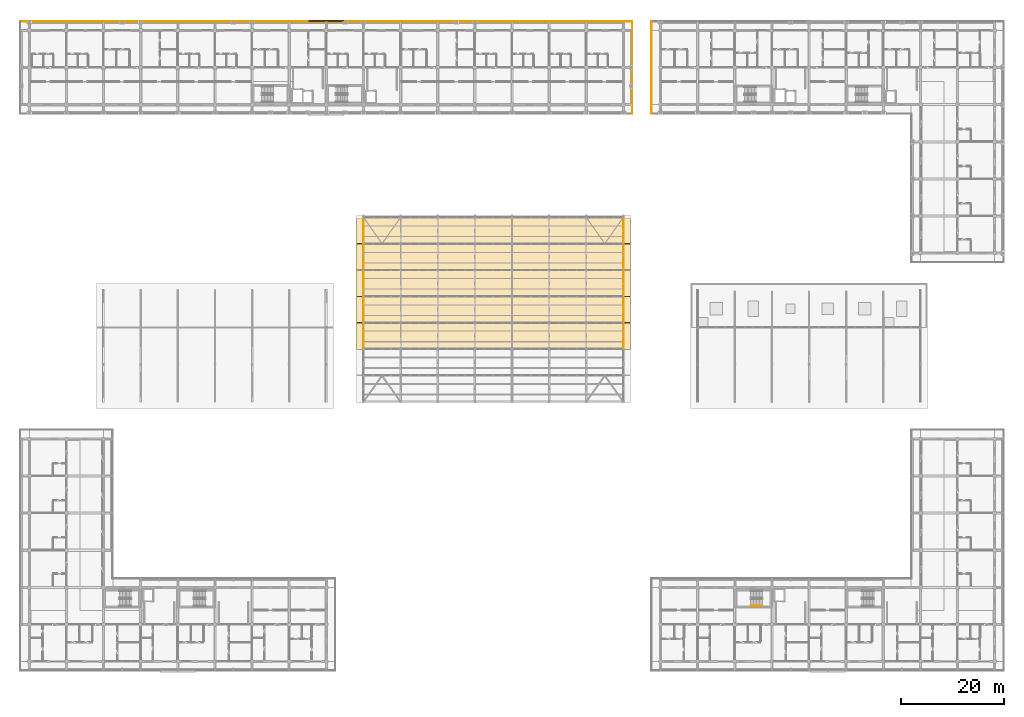
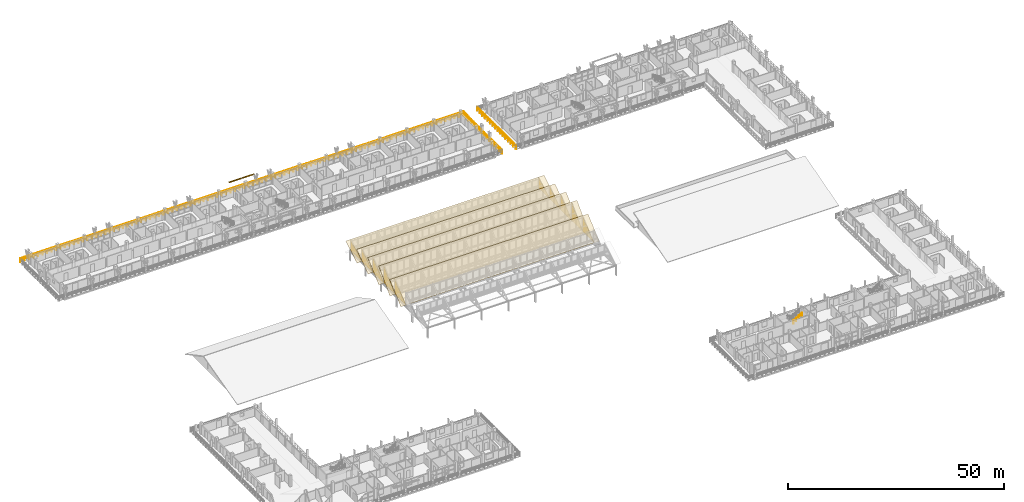
# One storey, part 150 of 157: 15 coverings, 4 railings, 1 shading device.
"""IFC4 building model written with IfcOpenShell, lengths in metres."""

from ifc_helpers import new_model, si_unit, direction, frame, origin, origin_2d, place, context, subcontext, project, spatial, polyline, rectangle, outline, extrude, material, layer, layer_set, type_object, element, save


model = new_model("IFC4")

# Units and contexts
model_context = context("Model", 3, precision=1e-05, world=origin(), true_north=direction((0.0, 1.0)))
body_context = subcontext(model_context, "Body", "Model", "MODEL_VIEW")
ifc_project = project(units=[si_unit("LENGTHUNIT", "METRE"), si_unit("AREAUNIT", "SQUARE_METRE"), si_unit("VOLUMEUNIT", "CUBIC_METRE"), si_unit("PLANEANGLEUNIT", "RADIAN"), si_unit("MASSUNIT", "GRAM", prefix="KILO")], contexts=[model_context])

# Site, building, storey
site_placement = place(None, origin())
site = spatial("IfcSite", under=ifc_project, at=site_placement, CompositionType="ELEMENT")
building_placement = place(site_placement, origin())
building = spatial("IfcBuilding", under=site, at=building_placement, Name="Suanplinth Sawtooth Commons", CompositionType="ELEMENT")
storey_placement = place(building_placement, frame((0.0, 0.0, 9.0)))
storey = spatial("IfcBuildingStorey", under=building, at=storey_placement, Name="L02", CompositionType="ELEMENT", Elevation=9.0)

# Coverings
ifc_material_1 = material(Name="Insulated zinc-aluminium architectural wall panel", Category="aluminium")
ifc_layer_1 = layer(ifc_material_1, 0.139892578125, Name="Insulated architectural gable tympanum cladding 140mm")
ifc_layer_set_1 = layer_set([ifc_layer_1], Name="Insulated zinc-aluminium architectural wall panel")
covering_type_1 = type_object("IfcCoveringType", Name="CV-CL02", PredefinedType="CLADDING", material=ifc_layer_set_1)
for number, where, z_axis, x_axis, name in (
    (1, (64.800048828125, 60.60009765625, 3.179931640625), (0.0, 0.0, 1.0), (0.0, 1.0, 0.0), "Sawtooth Hall W Gable Tympanum Cladding Tooth 3"),
    (2, (115.199951171875, 60.60009765625, 3.179931640625), (0.0, 0.0, 1.0), (0.0, 1.0, 0.0), "Sawtooth Hall E Gable Tympanum Cladding Tooth 3"),
):
    element("IfcCovering", number, at=place(storey_placement, frame(where, z_axis=z_axis, x_axis=x_axis)), inside=storey, type_object=covering_type_1, Name=name, PredefinedType="CLADDING", context=body_context, shape_type="SweptSolid", body=[
        extrude(outline(polyline([(0.0, 0.0), (5.099853515625, 0.0), (5.10009765625, 4.2900390625), (0.0, 0.02001953125), (0.0, 0.0)])), frame((0.0, 0.06982421875, 0.0), z_axis=(0.0, -1.0, 0.0), x_axis=(1.0, 0.0, 0.0)), (0.0, 0.0, 1.0), 0.139892578125),
    ])
for number, where, z_axis, x_axis, name in (
    (3, (64.800048828125, 65.699951171875, 3.179931640625), (0.0, 0.0, 1.0), (0.0, 1.0, 0.0), "Sawtooth Hall W Gable Tympanum Cladding Tooth 4"),
    (4, (115.199951171875, 65.699951171875, 3.179931640625), (0.0, 0.0, 1.0), (0.0, 1.0, 0.0), "Sawtooth Hall E Gable Tympanum Cladding Tooth 4"),
):
    element("IfcCovering", number, at=place(storey_placement, frame(where, z_axis=z_axis, x_axis=x_axis)), inside=storey, type_object=covering_type_1, Name=name, PredefinedType="CLADDING", context=body_context, shape_type="SweptSolid", body=[
        extrude(outline(polyline([(0.0, 0.0), (5.10009765625, 0.0), (5.10009765625, 5.0400390625), (0.0, 0.02001953125), (0.0, 0.0)])), frame((0.0, 0.06982421875, 0.0), z_axis=(0.0, -1.0, 0.0), x_axis=(1.0, 0.0, 0.0)), (0.0, 0.0, 1.0), 0.139892578125),
    ])
for number, where, z_axis, x_axis, name in (
    (5, (64.800048828125, 70.800048828125, 3.179931640625), (0.0, 0.0, 1.0), (0.0, 1.0, 0.0), "Sawtooth Hall W Gable Tympanum Cladding Tooth 5"),
    (6, (115.199951171875, 70.800048828125, 3.179931640625), (0.0, 0.0, 1.0), (0.0, 1.0, 0.0), "Sawtooth Hall E Gable Tympanum Cladding Tooth 5"),
):
    element("IfcCovering", number, at=place(storey_placement, frame(where, z_axis=z_axis, x_axis=x_axis)), inside=storey, type_object=covering_type_1, Name=name, PredefinedType="CLADDING", context=body_context, shape_type="SweptSolid", body=[
        extrude(outline(polyline([(0.0, 0.0), (5.099853515625, 0.0), (5.10009765625, 4.2900390625), (0.0, 0.02001953125), (0.0, 0.0)])), frame((0.0, 0.06982421875, 0.0), z_axis=(0.0, -1.0, 0.0), x_axis=(1.0, 0.0, 0.0)), (0.0, 0.0, 1.0), 0.139892578125),
    ])
for number, where, z_axis, x_axis, name in (
    (7, (64.800048828125, 75.89990234375, 3.179931640625), (0.0, 0.0, 1.0), (0.0, 1.0, 0.0), "Sawtooth Hall W Gable Tympanum Cladding Tooth 6"),
    (8, (115.199951171875, 75.89990234375, 3.179931640625), (0.0, 0.0, 1.0), (0.0, 1.0, 0.0), "Sawtooth Hall E Gable Tympanum Cladding Tooth 6"),
):
    element("IfcCovering", number, at=place(storey_placement, frame(where, z_axis=z_axis, x_axis=x_axis)), inside=storey, type_object=covering_type_1, Name=name, PredefinedType="CLADDING", context=body_context, shape_type="SweptSolid", body=[
        extrude(outline(polyline([(0.0, 0.0), (5.10009765625, 0.0), (5.10009765625, 3.5400390625), (0.0, 0.02001953125), (0.0, 0.0)])), frame((0.0, 0.06982421875, 0.0), z_axis=(0.0, -1.0, 0.0), x_axis=(1.0, 0.0, 0.0)), (0.0, 0.0, 1.0), 0.139892578125),
    ])
for number, where, z_axis, x_axis, name in (
    (9, (64.800048828125, 81.0, 3.179931640625), (0.0, 0.0, 1.0), (0.0, 1.0, 0.0), "Sawtooth Hall W Gable Tympanum Cladding Tooth 7"),
    (10, (115.199951171875, 81.0, 3.179931640625), (0.0, 0.0, 1.0), (0.0, 1.0, 0.0), "Sawtooth Hall E Gable Tympanum Cladding Tooth 7"),
):
    element("IfcCovering", number, at=place(storey_placement, frame(where, z_axis=z_axis, x_axis=x_axis)), inside=storey, type_object=covering_type_1, Name=name, PredefinedType="CLADDING", context=body_context, shape_type="SweptSolid", body=[
        extrude(outline(polyline([(0.0, 0.0), (5.10009765625, 0.0), (5.10009765625, 2.840087890625), (0.0, 0.02001953125), (0.0, 0.0)])), frame((0.0, 0.06982421875, 0.0), z_axis=(0.0, -1.0, 0.0), x_axis=(1.0, 0.0, 0.0)), (0.0, 0.0, 1.0), 0.139892578125),
    ])
ifc_material_2 = material(Name="Standing-seam zinc-aluminium alloy sheet", Category="aluminium")
ifc_layer_2 = layer(ifc_material_2, 0.06494140625, Name="Standing-seam zinc-aluminium roof cladding 65mm")
ifc_layer_set_2 = layer_set([ifc_layer_2], Name="Standing-seam zinc-aluminium alloy sheet")
covering_type_2 = type_object("IfcCoveringType", Name="CV-RF01", PredefinedType="ROOFING", material=ifc_layer_set_2)
covering_1_placement = place(storey_placement, frame((63.449951171875, 60.47998046875, 3.160400390625), z_axis=(0.0, -0.65745858956, 0.753490678783), x_axis=(1.0, 0.0, 0.0)))
element("IfcCovering", 11, at=covering_1_placement, inside=storey, type_object=covering_type_2, Name="Sawtooth Standing-Seam Roof Cladding Tooth 3", PredefinedType="ROOFING", context=body_context, shape_type="SweptSolid", body=[
    extrude(outline(polyline([(0.0, 0.0), (53.10009765625, 0.0), (53.10009765625, 6.927717687964742), (0.0, 6.927717687964742), (0.0, 0.0)])), origin(), (0.0, 0.0, -1.0), 0.06494140625),
])
covering_2_placement = place(storey_placement, frame((63.449951171875, 65.580078125, 3.142578125), z_axis=(0.0, -0.713950526867, 0.700196147651), x_axis=(1.0, 0.0, 0.0)))
element("IfcCovering", 12, at=covering_2_placement, inside=storey, type_object=covering_type_2, Name="Sawtooth Standing-Seam Roof Cladding Tooth 4", PredefinedType="ROOFING", context=body_context, shape_type="SweptSolid", body=[
    extrude(outline(polyline([(0.0, 0.0), (53.10009765625, 0.0), (53.10009765625, 7.4550120286057755), (0.0, 7.4550120286057755), (0.0, 0.0)])), origin(), (0.0, 0.0, -1.0), 0.06494140625),
])
covering_3_placement = place(storey_placement, frame((63.449951171875, 70.679931640625, 3.160400390625), z_axis=(0.0, -0.65745858956, 0.753490678783), x_axis=(1.0, 0.0, 0.0)))
element("IfcCovering", 13, at=covering_3_placement, inside=storey, type_object=covering_type_2, Name="Sawtooth Standing-Seam Roof Cladding Tooth 5", PredefinedType="ROOFING", context=body_context, shape_type="SweptSolid", body=[
    extrude(outline(polyline([(0.0, 0.0), (53.10009765625, 0.0), (53.10009765625, 6.927717687964742), (0.0, 6.927717687964742), (0.0, 0.0)])), origin(), (0.0, 0.0, -1.0), 0.06494140625),
])
covering_4_placement = place(storey_placement, frame((63.449951171875, 75.780029296875, 3.177978515625), z_axis=(0.0, -0.587234909992, 0.809416555605), x_axis=(1.0, 0.0, 0.0)))
element("IfcCovering", 14, at=covering_4_placement, inside=storey, type_object=covering_type_2, Name="Sawtooth Standing-Seam Roof Cladding Tooth 6", PredefinedType="ROOFING", context=body_context, shape_type="SweptSolid", body=[
    extrude(outline(polyline([(0.0, 0.0), (53.10009765625, 0.0), (53.10009765625, 6.449053539837935), (0.0, 6.449053539837935), (0.0, 0.0)])), origin(), (0.0, 0.0, -1.0), 0.06494140625),
])
covering_5_placement = place(storey_placement, frame((63.449951171875, 80.8798828125, 3.1943359375), z_axis=(0.0, -0.507000747784, 0.861945614146), x_axis=(1.0, 0.0, 0.0)))
element("IfcCovering", 15, at=covering_5_placement, inside=storey, type_object=covering_type_2, Name="Sawtooth Standing-Seam Roof Cladding Tooth 7", PredefinedType="ROOFING", context=body_context, shape_type="SweptSolid", body=[
    extrude(outline(polyline([(0.0, 0.0), (53.10009765625, 0.0), (53.10009765625, 6.056315802383007), (0.0, 6.056315802383007), (0.0, 0.0)])), origin(), (0.0, 0.0, -1.0), 0.06494140625),
])

# Railings
ifc_material_3 = material(Name="Powder-coated galvanized steel", Category="steel")
railing_type_1 = type_object("IfcRailingType", Name="GR-01", PredefinedType="BALUSTRADE", material=ifc_material_3)
railing_1_placement = place(storey_placement, frame((-1.739990234375, 124.139892578125, 0.0)))
element("IfcRailing", 16, at=railing_1_placement, inside=storey, type_object=railing_type_1, Name="L02 Block A Perimeter Balustrade 2", PredefinedType="BALUSTRADE", context=body_context, shape_type="SweptSolid", body=[
    extrude(rectangle(XDim=0.048095703125, YDim=0.048095703125, at=origin_2d()), frame((0.0, 0.0, 1.09619140625), z_axis=(1.0, 0.0, 0.0), x_axis=(0.0, 1.0, 0.0)), (0.0, 0.0, 1.0), 118.679931640625),
    extrude(rectangle(XDim=0.03369140625, YDim=0.03369140625, at=origin_2d()), frame((0.0, 0.0, 0.56005859375), z_axis=(1.0, 0.0, 0.0), x_axis=(0.0, 1.0, 0.0)), (0.0, 0.0, 1.0), 118.679931640625),
    extrude(rectangle(XDim=0.0419921875, YDim=0.0419921875, at=origin_2d()), origin(), (0.0, 0.0, 1.0), 1.072021484375),
    extrude(rectangle(XDim=0.0419921875, YDim=0.0419921875, at=origin_2d()), frame((1.19873046875, 0.0, 0.0)), (0.0, 0.0, 1.0), 1.072021484375),
    extrude(rectangle(XDim=0.0419921875, YDim=0.0419921875, at=origin_2d()), frame((2.3974609375, 0.0, 0.0)), (0.0, 0.0, 1.0), 1.072021484375),
    extrude(rectangle(XDim=0.0419921875, YDim=0.0419921875, at=origin_2d()), frame((3.596435546875, 0.0, 0.0)), (0.0, 0.0, 1.0), 1.072021484375),
    extrude(rectangle(XDim=0.0419921875, YDim=0.0419921875, at=origin_2d()), frame((4.795166015625, 0.0, 0.0)), (0.0, 0.0, 1.0), 1.072021484375),
    extrude(rectangle(XDim=0.0419921875, YDim=0.0419921875, at=origin_2d()), frame((5.993896484375, 0.0, 0.0)), (0.0, 0.0, 1.0), 1.072021484375),
    extrude(rectangle(XDim=0.0419921875, YDim=0.0419921875, at=origin_2d()), frame((7.192626953125, 0.0, 0.0)), (0.0, 0.0, 1.0), 1.072021484375),
    extrude(rectangle(XDim=0.0419921875, YDim=0.0419921875, at=origin_2d()), frame((8.3916015625, 0.0, 0.0)), (0.0, 0.0, 1.0), 1.072021484375),
    extrude(rectangle(XDim=0.0419921875, YDim=0.0419921875, at=origin_2d()), frame((9.59033203125, 0.0, 0.0)), (0.0, 0.0, 1.0), 1.072021484375),
    extrude(rectangle(XDim=0.0419921875, YDim=0.0419921875, at=origin_2d()), frame((10.7890625, 0.0, 0.0)), (0.0, 0.0, 1.0), 1.072021484375),
    extrude(rectangle(XDim=0.0419921875, YDim=0.0419921875, at=origin_2d()), frame((11.98779296875, 0.0, 0.0)), (0.0, 0.0, 1.0), 1.072021484375),
    extrude(rectangle(XDim=0.0419921875, YDim=0.0419921875, at=origin_2d()), frame((13.186767578125, 0.0, 0.0)), (0.0, 0.0, 1.0), 1.072021484375),
    extrude(rectangle(XDim=0.0419921875, YDim=0.0419921875, at=origin_2d()), frame((14.385498046875, 0.0, 0.0)), (0.0, 0.0, 1.0), 1.072021484375),
    extrude(rectangle(XDim=0.0419921875, YDim=0.0419921875, at=origin_2d()), frame((15.584228515625, 0.0, 0.0)), (0.0, 0.0, 1.0), 1.072021484375),
    extrude(rectangle(XDim=0.0419921875, YDim=0.0419921875, at=origin_2d()), frame((16.782958984375, 0.0, 0.0)), (0.0, 0.0, 1.0), 1.072021484375),
    extrude(rectangle(XDim=0.0419921875, YDim=0.0419921875, at=origin_2d()), frame((17.981689453125, 0.0, 0.0)), (0.0, 0.0, 1.0), 1.072021484375),
    extrude(rectangle(XDim=0.0419921875, YDim=0.0419921875, at=origin_2d()), frame((19.1806640625, 0.0, 0.0)), (0.0, 0.0, 1.0), 1.072021484375),
    extrude(rectangle(XDim=0.0419921875, YDim=0.0419921875, at=origin_2d()), frame((20.37939453125, 0.0, 0.0)), (0.0, 0.0, 1.0), 1.072021484375),
    extrude(rectangle(XDim=0.0419921875, YDim=0.0419921875, at=origin_2d()), frame((21.578125, 0.0, 0.0)), (0.0, 0.0, 1.0), 1.072021484375),
    extrude(rectangle(XDim=0.0419921875, YDim=0.0419921875, at=origin_2d()), frame((22.77685546875, 0.0, 0.0)), (0.0, 0.0, 1.0), 1.072021484375),
    extrude(rectangle(XDim=0.0419921875, YDim=0.0419921875, at=origin_2d()), frame((23.975830078125, 0.0, 0.0)), (0.0, 0.0, 1.0), 1.072021484375),
    extrude(rectangle(XDim=0.0419921875, YDim=0.0419921875, at=origin_2d()), frame((25.174560546875, 0.0, 0.0)), (0.0, 0.0, 1.0), 1.072021484375),
    extrude(rectangle(XDim=0.0419921875, YDim=0.0419921875, at=origin_2d()), frame((26.373291015625, 0.0, 0.0)), (0.0, 0.0, 1.0), 1.072021484375),
    extrude(rectangle(XDim=0.0419921875, YDim=0.0419921875, at=origin_2d()), frame((27.572021484375, 0.0, 0.0)), (0.0, 0.0, 1.0), 1.072021484375),
    extrude(rectangle(XDim=0.0419921875, YDim=0.0419921875, at=origin_2d()), frame((28.77099609375, 0.0, 0.0)), (0.0, 0.0, 1.0), 1.072021484375),
    extrude(rectangle(XDim=0.0419921875, YDim=0.0419921875, at=origin_2d()), frame((29.9697265625, 0.0, 0.0)), (0.0, 0.0, 1.0), 1.072021484375),
    extrude(rectangle(XDim=0.0419921875, YDim=0.0419921875, at=origin_2d()), frame((31.16845703125, 0.0, 0.0)), (0.0, 0.0, 1.0), 1.072021484375),
    extrude(rectangle(XDim=0.0419921875, YDim=0.0419921875, at=origin_2d()), frame((32.3671875, 0.0, 0.0)), (0.0, 0.0, 1.0), 1.072021484375),
    extrude(rectangle(XDim=0.0419921875, YDim=0.0419921875, at=origin_2d()), frame((33.566162109375, 0.0, 0.0)), (0.0, 0.0, 1.0), 1.072021484375),
    extrude(rectangle(XDim=0.0419921875, YDim=0.0419921875, at=origin_2d()), frame((34.764892578125, 0.0, 0.0)), (0.0, 0.0, 1.0), 1.072021484375),
    extrude(rectangle(XDim=0.0419921875, YDim=0.0419921875, at=origin_2d()), frame((35.963623046875, 0.0, 0.0)), (0.0, 0.0, 1.0), 1.072021484375),
    extrude(rectangle(XDim=0.0419921875, YDim=0.0419921875, at=origin_2d()), frame((37.162353515625, 0.0, 0.0)), (0.0, 0.0, 1.0), 1.072021484375),
    extrude(rectangle(XDim=0.0419921875, YDim=0.0419921875, at=origin_2d()), frame((38.361083984375, 0.0, 0.0)), (0.0, 0.0, 1.0), 1.072021484375),
    extrude(rectangle(XDim=0.0419921875, YDim=0.0419921875, at=origin_2d()), frame((39.56005859375, 0.0, 0.0)), (0.0, 0.0, 1.0), 1.072021484375),
    extrude(rectangle(XDim=0.0419921875, YDim=0.0419921875, at=origin_2d()), frame((40.7587890625, 0.0, 0.0)), (0.0, 0.0, 1.0), 1.072021484375),
    extrude(rectangle(XDim=0.0419921875, YDim=0.0419921875, at=origin_2d()), frame((41.95751953125, 0.0, 0.0)), (0.0, 0.0, 1.0), 1.072021484375),
    extrude(rectangle(XDim=0.0419921875, YDim=0.0419921875, at=origin_2d()), frame((43.15625, 0.0, 0.0)), (0.0, 0.0, 1.0), 1.072021484375),
    extrude(rectangle(XDim=0.0419921875, YDim=0.0419921875, at=origin_2d()), frame((44.355224609375, 0.0, 0.0)), (0.0, 0.0, 1.0), 1.072021484375),
    extrude(rectangle(XDim=0.0419921875, YDim=0.0419921875, at=origin_2d()), frame((45.553955078125, 0.0, 0.0)), (0.0, 0.0, 1.0), 1.072021484375),
    extrude(rectangle(XDim=0.0419921875, YDim=0.0419921875, at=origin_2d()), frame((46.752685546875, 0.0, 0.0)), (0.0, 0.0, 1.0), 1.072021484375),
    extrude(rectangle(XDim=0.0419921875, YDim=0.0419921875, at=origin_2d()), frame((47.951416015625, 0.0, 0.0)), (0.0, 0.0, 1.0), 1.072021484375),
    extrude(rectangle(XDim=0.0419921875, YDim=0.0419921875, at=origin_2d()), frame((49.150390625, 0.0, 0.0)), (0.0, 0.0, 1.0), 1.072021484375),
    extrude(rectangle(XDim=0.0419921875, YDim=0.0419921875, at=origin_2d()), frame((50.34912109375, 0.0, 0.0)), (0.0, 0.0, 1.0), 1.072021484375),
    extrude(rectangle(XDim=0.0419921875, YDim=0.0419921875, at=origin_2d()), frame((51.5478515625, 0.0, 0.0)), (0.0, 0.0, 1.0), 1.072021484375),
    extrude(rectangle(XDim=0.0419921875, YDim=0.0419921875, at=origin_2d()), frame((52.74658203125, 0.0, 0.0)), (0.0, 0.0, 1.0), 1.072021484375),
    extrude(rectangle(XDim=0.0419921875, YDim=0.0419921875, at=origin_2d()), frame((53.9453125, 0.0, 0.0)), (0.0, 0.0, 1.0), 1.072021484375),
    extrude(rectangle(XDim=0.0419921875, YDim=0.0419921875, at=origin_2d()), frame((55.144287109375, 0.0, 0.0)), (0.0, 0.0, 1.0), 1.072021484375),
    extrude(rectangle(XDim=0.0419921875, YDim=0.0419921875, at=origin_2d()), frame((56.343017578125, 0.0, 0.0)), (0.0, 0.0, 1.0), 1.072021484375),
    extrude(rectangle(XDim=0.0419921875, YDim=0.0419921875, at=origin_2d()), frame((57.541748046875, 0.0, 0.0)), (0.0, 0.0, 1.0), 1.072021484375),
    extrude(rectangle(XDim=0.0419921875, YDim=0.0419921875, at=origin_2d()), frame((58.740478515625, 0.0, 0.0)), (0.0, 0.0, 1.0), 1.072021484375),
    extrude(rectangle(XDim=0.0419921875, YDim=0.0419921875, at=origin_2d()), frame((59.939453125, 0.0, 0.0)), (0.0, 0.0, 1.0), 1.072021484375),
    extrude(rectangle(XDim=0.0419921875, YDim=0.0419921875, at=origin_2d()), frame((61.13818359375, 0.0, 0.0)), (0.0, 0.0, 1.0), 1.072021484375),
    extrude(rectangle(XDim=0.0419921875, YDim=0.0419921875, at=origin_2d()), frame((62.3369140625, 0.0, 0.0)), (0.0, 0.0, 1.0), 1.072021484375),
    extrude(rectangle(XDim=0.0419921875, YDim=0.0419921875, at=origin_2d()), frame((63.53564453125, 0.0, 0.0)), (0.0, 0.0, 1.0), 1.072021484375),
    extrude(rectangle(XDim=0.0419921875, YDim=0.0419921875, at=origin_2d()), frame((64.734619140625, 0.0, 0.0)), (0.0, 0.0, 1.0), 1.072021484375),
    extrude(rectangle(XDim=0.0419921875, YDim=0.0419921875, at=origin_2d()), frame((65.933349609375, 0.0, 0.0)), (0.0, 0.0, 1.0), 1.072021484375),
    extrude(rectangle(XDim=0.0419921875, YDim=0.0419921875, at=origin_2d()), frame((67.132080078125, 0.0, 0.0)), (0.0, 0.0, 1.0), 1.072021484375),
    extrude(rectangle(XDim=0.0419921875, YDim=0.0419921875, at=origin_2d()), frame((68.330810546875, 0.0, 0.0)), (0.0, 0.0, 1.0), 1.072021484375),
    extrude(rectangle(XDim=0.0419921875, YDim=0.0419921875, at=origin_2d()), frame((69.529541015625, 0.0, 0.0)), (0.0, 0.0, 1.0), 1.072021484375),
    extrude(rectangle(XDim=0.0419921875, YDim=0.0419921875, at=origin_2d()), frame((70.728515625, 0.0, 0.0)), (0.0, 0.0, 1.0), 1.072021484375),
    extrude(rectangle(XDim=0.0419921875, YDim=0.0419921875, at=origin_2d()), frame((71.92724609375, 0.0, 0.0)), (0.0, 0.0, 1.0), 1.072021484375),
    extrude(rectangle(XDim=0.0419921875, YDim=0.0419921875, at=origin_2d()), frame((73.1259765625, 0.0, 0.0)), (0.0, 0.0, 1.0), 1.072021484375),
    extrude(rectangle(XDim=0.0419921875, YDim=0.0419921875, at=origin_2d()), frame((74.32470703125, 0.0, 0.0)), (0.0, 0.0, 1.0), 1.072021484375),
    extrude(rectangle(XDim=0.0419921875, YDim=0.0419921875, at=origin_2d()), frame((75.523681640625, 0.0, 0.0)), (0.0, 0.0, 1.0), 1.072021484375),
    extrude(rectangle(XDim=0.0419921875, YDim=0.0419921875, at=origin_2d()), frame((76.722412109375, 0.0, 0.0)), (0.0, 0.0, 1.0), 1.072021484375),
    extrude(rectangle(XDim=0.0419921875, YDim=0.0419921875, at=origin_2d()), frame((77.921142578125, 0.0, 0.0)), (0.0, 0.0, 1.0), 1.072021484375),
    extrude(rectangle(XDim=0.0419921875, YDim=0.0419921875, at=origin_2d()), frame((79.119873046875, 0.0, 0.0)), (0.0, 0.0, 1.0), 1.072021484375),
    extrude(rectangle(XDim=0.0419921875, YDim=0.0419921875, at=origin_2d()), frame((80.31884765625, 0.0, 0.0)), (0.0, 0.0, 1.0), 1.072021484375),
    extrude(rectangle(XDim=0.0419921875, YDim=0.0419921875, at=origin_2d()), frame((81.517578125, 0.0, 0.0)), (0.0, 0.0, 1.0), 1.072021484375),
    extrude(rectangle(XDim=0.0419921875, YDim=0.0419921875, at=origin_2d()), frame((82.71630859375, 0.0, 0.0)), (0.0, 0.0, 1.0), 1.072021484375),
    extrude(rectangle(XDim=0.0419921875, YDim=0.0419921875, at=origin_2d()), frame((83.9150390625, 0.0, 0.0)), (0.0, 0.0, 1.0), 1.072021484375),
    extrude(rectangle(XDim=0.0419921875, YDim=0.0419921875, at=origin_2d()), frame((85.11376953125, 0.0, 0.0)), (0.0, 0.0, 1.0), 1.072021484375),
    extrude(rectangle(XDim=0.0419921875, YDim=0.0419921875, at=origin_2d()), frame((86.312744140625, 0.0, 0.0)), (0.0, 0.0, 1.0), 1.072021484375),
    extrude(rectangle(XDim=0.0419921875, YDim=0.0419921875, at=origin_2d()), frame((87.511474609375, 0.0, 0.0)), (0.0, 0.0, 1.0), 1.072021484375),
    extrude(rectangle(XDim=0.0419921875, YDim=0.0419921875, at=origin_2d()), frame((88.710205078125, 0.0, 0.0)), (0.0, 0.0, 1.0), 1.072021484375),
    extrude(rectangle(XDim=0.0419921875, YDim=0.0419921875, at=origin_2d()), frame((89.908935546875, 0.0, 0.0)), (0.0, 0.0, 1.0), 1.072021484375),
    extrude(rectangle(XDim=0.0419921875, YDim=0.0419921875, at=origin_2d()), frame((91.10791015625, 0.0, 0.0)), (0.0, 0.0, 1.0), 1.072021484375),
    extrude(rectangle(XDim=0.0419921875, YDim=0.0419921875, at=origin_2d()), frame((92.306640625, 0.0, 0.0)), (0.0, 0.0, 1.0), 1.072021484375),
    extrude(rectangle(XDim=0.0419921875, YDim=0.0419921875, at=origin_2d()), frame((93.50537109375, 0.0, 0.0)), (0.0, 0.0, 1.0), 1.072021484375),
    extrude(rectangle(XDim=0.0419921875, YDim=0.0419921875, at=origin_2d()), frame((94.7041015625, 0.0, 0.0)), (0.0, 0.0, 1.0), 1.072021484375),
    extrude(rectangle(XDim=0.0419921875, YDim=0.0419921875, at=origin_2d()), frame((95.903076171875, 0.0, 0.0)), (0.0, 0.0, 1.0), 1.072021484375),
    extrude(rectangle(XDim=0.0419921875, YDim=0.0419921875, at=origin_2d()), frame((97.101806640625, 0.0, 0.0)), (0.0, 0.0, 1.0), 1.072021484375),
    extrude(rectangle(XDim=0.0419921875, YDim=0.0419921875, at=origin_2d()), frame((98.300537109375, 0.0, 0.0)), (0.0, 0.0, 1.0), 1.072021484375),
    extrude(rectangle(XDim=0.0419921875, YDim=0.0419921875, at=origin_2d()), frame((99.499267578125, 0.0, 0.0)), (0.0, 0.0, 1.0), 1.072021484375),
    extrude(rectangle(XDim=0.0419921875, YDim=0.0419921875, at=origin_2d()), frame((100.6982421875, 0.0, 0.0)), (0.0, 0.0, 1.0), 1.072021484375),
    extrude(rectangle(XDim=0.0419921875, YDim=0.0419921875, at=origin_2d()), frame((101.89697265625, 0.0, 0.0)), (0.0, 0.0, 1.0), 1.072021484375),
    extrude(rectangle(XDim=0.0419921875, YDim=0.0419921875, at=origin_2d()), frame((103.095703125, 0.0, 0.0)), (0.0, 0.0, 1.0), 1.072021484375),
    extrude(rectangle(XDim=0.0419921875, YDim=0.0419921875, at=origin_2d()), frame((104.29443359375, 0.0, 0.0)), (0.0, 0.0, 1.0), 1.072021484375),
    extrude(rectangle(XDim=0.0419921875, YDim=0.0419921875, at=origin_2d()), frame((105.4931640625, 0.0, 0.0)), (0.0, 0.0, 1.0), 1.072021484375),
    extrude(rectangle(XDim=0.0419921875, YDim=0.0419921875, at=origin_2d()), frame((106.692138671875, 0.0, 0.0)), (0.0, 0.0, 1.0), 1.072021484375),
    extrude(rectangle(XDim=0.0419921875, YDim=0.0419921875, at=origin_2d()), frame((107.890869140625, 0.0, 0.0)), (0.0, 0.0, 1.0), 1.072021484375),
    extrude(rectangle(XDim=0.0419921875, YDim=0.0419921875, at=origin_2d()), frame((109.089599609375, 0.0, 0.0)), (0.0, 0.0, 1.0), 1.072021484375),
    extrude(rectangle(XDim=0.0419921875, YDim=0.0419921875, at=origin_2d()), frame((110.288330078125, 0.0, 0.0)), (0.0, 0.0, 1.0), 1.072021484375),
    extrude(rectangle(XDim=0.0419921875, YDim=0.0419921875, at=origin_2d()), frame((111.4873046875, 0.0, 0.0)), (0.0, 0.0, 1.0), 1.072021484375),
    extrude(rectangle(XDim=0.0419921875, YDim=0.0419921875, at=origin_2d()), frame((112.68603515625, 0.0, 0.0)), (0.0, 0.0, 1.0), 1.072021484375),
    extrude(rectangle(XDim=0.0419921875, YDim=0.0419921875, at=origin_2d()), frame((113.884765625, 0.0, 0.0)), (0.0, 0.0, 1.0), 1.072021484375),
    extrude(rectangle(XDim=0.0419921875, YDim=0.0419921875, at=origin_2d()), frame((115.08349609375, 0.0, 0.0)), (0.0, 0.0, 1.0), 1.072021484375),
    extrude(rectangle(XDim=0.0419921875, YDim=0.0419921875, at=origin_2d()), frame((116.282470703125, 0.0, 0.0)), (0.0, 0.0, 1.0), 1.072021484375),
    extrude(rectangle(XDim=0.0419921875, YDim=0.0419921875, at=origin_2d()), frame((117.481201171875, 0.0, 0.0)), (0.0, 0.0, 1.0), 1.072021484375),
    extrude(rectangle(XDim=0.0419921875, YDim=0.0419921875, at=origin_2d()), frame((118.679931640625, 0.0, 0.0)), (0.0, 0.0, 1.0), 1.072021484375),
])
railing_2_placement = place(storey_placement, frame((116.93994140625, 124.139892578125, 0.0)))
element("IfcRailing", 17, at=railing_2_placement, inside=storey, type_object=railing_type_1, Name="L02 Block A Perimeter Balustrade 3", PredefinedType="BALUSTRADE", context=body_context, shape_type="SweptSolid", body=[
    extrude(rectangle(XDim=0.048095703125, YDim=0.048095703125, at=origin_2d()), frame((0.0, 0.0, 1.09619140625), z_axis=(0.0, -1.0, 0.0), x_axis=(1.0, 0.0, 0.0)), (0.0, 0.0, 1.0), 17.8798828125),
    extrude(rectangle(XDim=0.03369140625, YDim=0.03369140625, at=origin_2d()), frame((0.0, 0.0, 0.56005859375), z_axis=(0.0, -1.0, 0.0), x_axis=(1.0, 0.0, 0.0)), (0.0, 0.0, 1.0), 17.8798828125),
    extrude(rectangle(XDim=0.0419921875, YDim=0.0419921875, at=origin_2d()), origin(), (0.0, 0.0, 1.0), 1.072021484375),
    extrude(rectangle(XDim=0.0419921875, YDim=0.0419921875, at=origin_2d()), frame((0.0, -1.19189453125, 0.0)), (0.0, 0.0, 1.0), 1.072021484375),
    extrude(rectangle(XDim=0.0419921875, YDim=0.0419921875, at=origin_2d()), frame((0.0, -2.384033203125, 0.0)), (0.0, 0.0, 1.0), 1.072021484375),
    extrude(rectangle(XDim=0.0419921875, YDim=0.0419921875, at=origin_2d()), frame((0.0, -3.575927734375, 0.0)), (0.0, 0.0, 1.0), 1.072021484375),
    extrude(rectangle(XDim=0.0419921875, YDim=0.0419921875, at=origin_2d()), frame((0.0, -4.76806640625, 0.0)), (0.0, 0.0, 1.0), 1.072021484375),
    extrude(rectangle(XDim=0.0419921875, YDim=0.0419921875, at=origin_2d()), frame((0.0, -5.9599609375, 0.0)), (0.0, 0.0, 1.0), 1.072021484375),
    extrude(rectangle(XDim=0.0419921875, YDim=0.0419921875, at=origin_2d()), frame((0.0, -7.15185546875, 0.0)), (0.0, 0.0, 1.0), 1.072021484375),
    extrude(rectangle(XDim=0.0419921875, YDim=0.0419921875, at=origin_2d()), frame((0.0, -8.343994140625, 0.0)), (0.0, 0.0, 1.0), 1.072021484375),
    extrude(rectangle(XDim=0.0419921875, YDim=0.0419921875, at=origin_2d()), frame((0.0, -9.535888671875, 0.0)), (0.0, 0.0, 1.0), 1.072021484375),
    extrude(rectangle(XDim=0.0419921875, YDim=0.0419921875, at=origin_2d()), frame((0.0, -10.72802734375, 0.0)), (0.0, 0.0, 1.0), 1.072021484375),
    extrude(rectangle(XDim=0.0419921875, YDim=0.0419921875, at=origin_2d()), frame((0.0, -11.919921875, 0.0)), (0.0, 0.0, 1.0), 1.072021484375),
    extrude(rectangle(XDim=0.0419921875, YDim=0.0419921875, at=origin_2d()), frame((0.0, -13.11181640625, 0.0)), (0.0, 0.0, 1.0), 1.072021484375),
    extrude(rectangle(XDim=0.0419921875, YDim=0.0419921875, at=origin_2d()), frame((0.0, -14.303955078125, 0.0)), (0.0, 0.0, 1.0), 1.072021484375),
    extrude(rectangle(XDim=0.0419921875, YDim=0.0419921875, at=origin_2d()), frame((0.0, -15.495849609375, 0.0)), (0.0, 0.0, 1.0), 1.072021484375),
    extrude(rectangle(XDim=0.0419921875, YDim=0.0419921875, at=origin_2d()), frame((0.0, -16.68798828125, 0.0)), (0.0, 0.0, 1.0), 1.072021484375),
    extrude(rectangle(XDim=0.0419921875, YDim=0.0419921875, at=origin_2d()), frame((0.0, -17.8798828125, 0.0)), (0.0, 0.0, 1.0), 1.072021484375),
])
railing_3_placement = place(storey_placement, frame((120.659912109375, 106.260009765625, 0.0)))
element("IfcRailing", 18, at=railing_3_placement, inside=storey, type_object=railing_type_1, Name="L02 Block B Perimeter Balustrade 3", PredefinedType="BALUSTRADE", context=body_context, shape_type="SweptSolid", body=[
    extrude(rectangle(XDim=0.048095703125, YDim=0.048095703125, at=origin_2d()), frame((0.0, 0.0, 1.09619140625), z_axis=(0.0, 1.0, 0.0), x_axis=(-1.0, 0.0, 0.0)), (0.0, 0.0, 1.0), 17.8798828125),
    extrude(rectangle(XDim=0.03369140625, YDim=0.03369140625, at=origin_2d()), frame((0.0, 0.0, 0.56005859375), z_axis=(0.0, 1.0, 0.0), x_axis=(-1.0, 0.0, 0.0)), (0.0, 0.0, 1.0), 17.8798828125),
    extrude(rectangle(XDim=0.0419921875, YDim=0.0419921875, at=origin_2d()), origin(), (0.0, 0.0, 1.0), 1.072021484375),
    extrude(rectangle(XDim=0.0419921875, YDim=0.0419921875, at=origin_2d()), frame((0.0, 1.19189453125, 0.0)), (0.0, 0.0, 1.0), 1.072021484375),
    extrude(rectangle(XDim=0.0419921875, YDim=0.0419921875, at=origin_2d()), frame((0.0, 2.384033203125, 0.0)), (0.0, 0.0, 1.0), 1.072021484375),
    extrude(rectangle(XDim=0.0419921875, YDim=0.0419921875, at=origin_2d()), frame((0.0, 3.575927734375, 0.0)), (0.0, 0.0, 1.0), 1.072021484375),
    extrude(rectangle(XDim=0.0419921875, YDim=0.0419921875, at=origin_2d()), frame((0.0, 4.76806640625, 0.0)), (0.0, 0.0, 1.0), 1.072021484375),
    extrude(rectangle(XDim=0.0419921875, YDim=0.0419921875, at=origin_2d()), frame((0.0, 5.9599609375, 0.0)), (0.0, 0.0, 1.0), 1.072021484375),
    extrude(rectangle(XDim=0.0419921875, YDim=0.0419921875, at=origin_2d()), frame((0.0, 7.15185546875, 0.0)), (0.0, 0.0, 1.0), 1.072021484375),
    extrude(rectangle(XDim=0.0419921875, YDim=0.0419921875, at=origin_2d()), frame((0.0, 8.343994140625, 0.0)), (0.0, 0.0, 1.0), 1.072021484375),
    extrude(rectangle(XDim=0.0419921875, YDim=0.0419921875, at=origin_2d()), frame((0.0, 9.535888671875, 0.0)), (0.0, 0.0, 1.0), 1.072021484375),
    extrude(rectangle(XDim=0.0419921875, YDim=0.0419921875, at=origin_2d()), frame((0.0, 10.72802734375, 0.0)), (0.0, 0.0, 1.0), 1.072021484375),
    extrude(rectangle(XDim=0.0419921875, YDim=0.0419921875, at=origin_2d()), frame((0.0, 11.919921875, 0.0)), (0.0, 0.0, 1.0), 1.072021484375),
    extrude(rectangle(XDim=0.0419921875, YDim=0.0419921875, at=origin_2d()), frame((0.0, 13.11181640625, 0.0)), (0.0, 0.0, 1.0), 1.072021484375),
    extrude(rectangle(XDim=0.0419921875, YDim=0.0419921875, at=origin_2d()), frame((0.0, 14.303955078125, 0.0)), (0.0, 0.0, 1.0), 1.072021484375),
    extrude(rectangle(XDim=0.0419921875, YDim=0.0419921875, at=origin_2d()), frame((0.0, 15.495849609375, 0.0)), (0.0, 0.0, 1.0), 1.072021484375),
    extrude(rectangle(XDim=0.0419921875, YDim=0.0419921875, at=origin_2d()), frame((0.0, 16.68798828125, 0.0)), (0.0, 0.0, 1.0), 1.072021484375),
    extrude(rectangle(XDim=0.0419921875, YDim=0.0419921875, at=origin_2d()), frame((0.0, 17.8798828125, 0.0)), (0.0, 0.0, 1.0), 1.072021484375),
])
ifc_material_4 = material(Name="Stainless steel Grade 304", Category="steel")
railing_type_2 = type_object("IfcRailingType", Name="HR-01", PredefinedType="HANDRAIL", material=ifc_material_4)
railing_4_placement = place(storey_placement, frame((139.8701171875, 10.800048828125, 1.77783203125)))
element("IfcRailing", 19, at=railing_4_placement, inside=storey, type_object=railing_type_2, Name="L02 ST-S1 Handrail 2", PredefinedType="HANDRAIL", context=body_context, shape_type="SweptSolid", body=[
    extrude(rectangle(XDim=0.048095703125, YDim=0.048095703125, at=origin_2d()), frame((0.0, 0.0, 0.8759765625), z_axis=(0.848457393559, 0.0, 0.529263687886), x_axis=(0.0, 1.0, 0.0)), (0.0, 0.0, 1.0), 2.68701171875),
    extrude(rectangle(XDim=0.03369140625, YDim=0.03369140625, at=origin_2d()), frame((0.0, 0.0, 0.449951171875), z_axis=(0.848457393559, 0.0, 0.529263687886), x_axis=(0.0, 1.0, 0.0)), (0.0, 0.0, 1.0), 2.68701171875),
    extrude(rectangle(XDim=0.0419921875, YDim=0.0419921875, at=origin_2d()), origin(), (0.0, 0.0, 1.0), 0.851806640625),
    extrude(rectangle(XDim=0.0419921875, YDim=0.0419921875, at=origin_2d()), frame((0.760009765625, 0.0, 0.47412109375)), (0.0, 0.0, 1.0), 0.851806640625),
    extrude(rectangle(XDim=0.0419921875, YDim=0.0419921875, at=origin_2d()), frame((1.519775390625, 0.0, 0.947998046875)), (0.0, 0.0, 1.0), 0.851806640625),
    extrude(rectangle(XDim=0.0419921875, YDim=0.0419921875, at=origin_2d()), frame((2.27978515625, 0.0, 1.422119140625)), (0.0, 0.0, 1.0), 0.851806640625),
])

# Shading device
ifc_material_5 = material(Name="Anodized aluminium 6063-T6", Category="aluminium")
shading_device_type = type_object("IfcShadingDeviceType", Name="SHD-01", PredefinedType="JALOUSIE", material=ifc_material_5)
shading_device_placement = place(storey_placement, frame((57.60009765625, 124.239990234375, 2.919921875), z_axis=(0.0, 0.0, 1.0), x_axis=(1.0, 0.0, 0.0)))
element("IfcShadingDevice", 20, at=shading_device_placement, inside=storey, type_object=shading_device_type, Name="Monsoon Louvre L02-A-1", PredefinedType="JALOUSIE", context=body_context, shape_type="SweptSolid", body=[
    extrude(rectangle(XDim=6.800048828125, YDim=0.35009765625, at=origin_2d()), origin(), (0.0, 0.0, 1.0), 0.06005859375),
])

save(model, "model.ifc")
